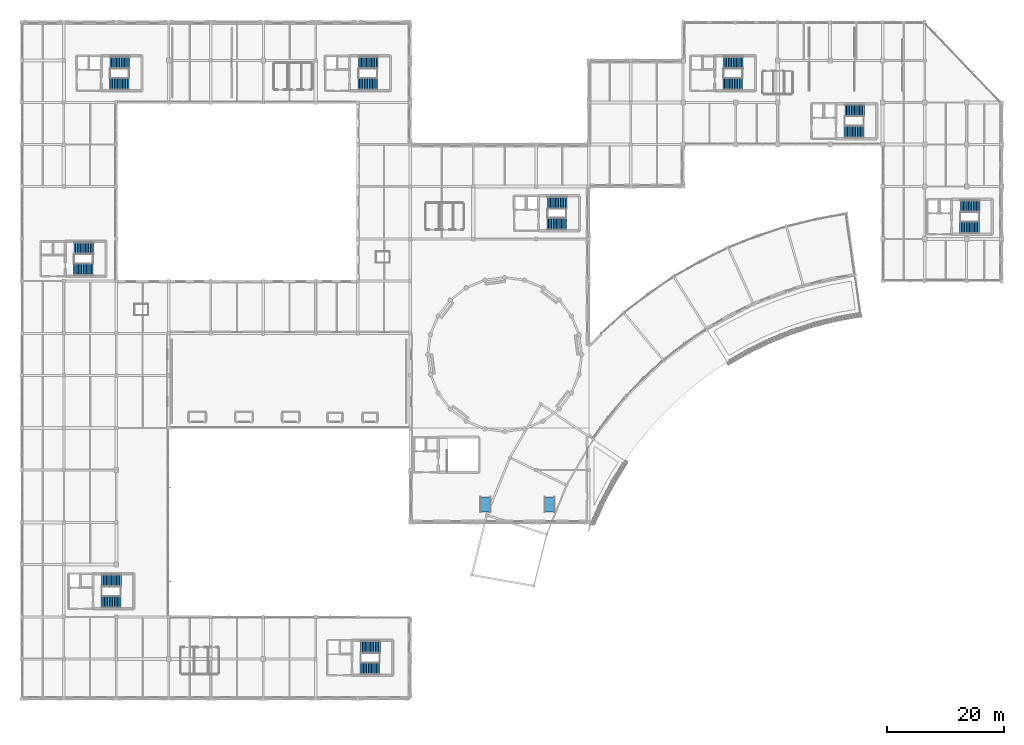
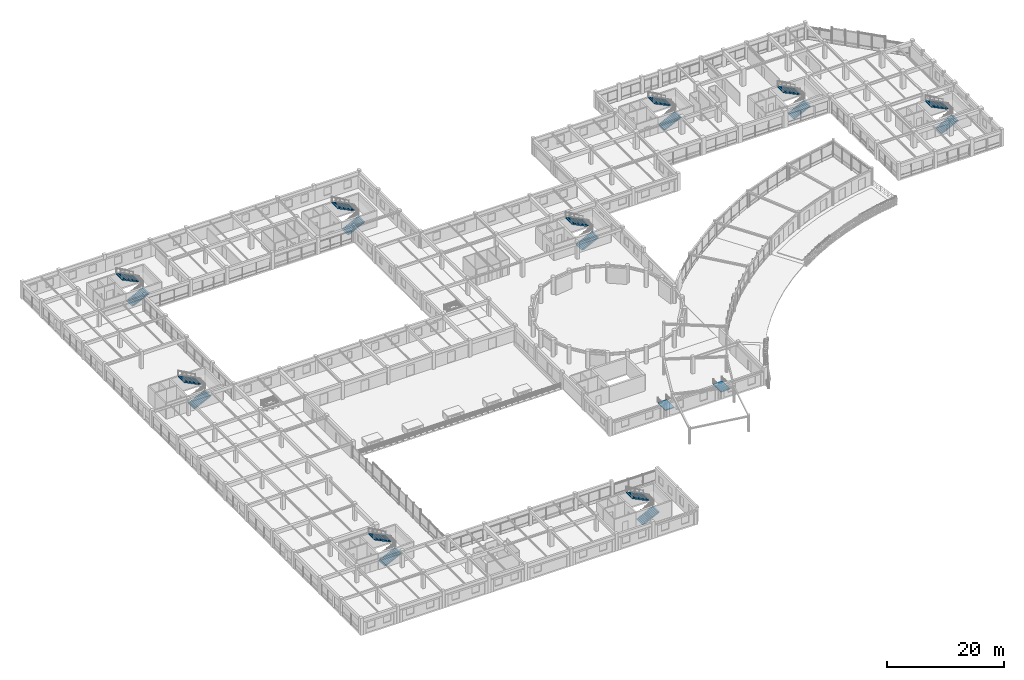
# One storey, part 59 of 74: 18 stair flights, 2 ramp flights, 11 elements without a shape of their own.
"""IFC4 building model written with IfcOpenShell, lengths in metres."""

from ifc_helpers import new_model, si_unit, direction, frame, origin, place, context, subcontext, project, spatial, polyline, outline, extrude, material, layer, layer_set, type_object, element, aggregate, save


model = new_model("IFC4")

# Units and contexts
model_context = context("Model", 3, precision=1e-05, world=origin(), true_north=direction((0.0, 1.0)))
body_context = subcontext(model_context, "Body", "Model", "MODEL_VIEW")
ifc_project = project(units=[si_unit("LENGTHUNIT", "METRE"), si_unit("AREAUNIT", "SQUARE_METRE"), si_unit("VOLUMEUNIT", "CUBIC_METRE"), si_unit("PLANEANGLEUNIT", "RADIAN"), si_unit("MASSUNIT", "GRAM", prefix="KILO")], contexts=[model_context])

# Site, building, storey
site_placement = place(None, origin())
site = spatial("IfcSite", under=ifc_project, at=site_placement, CompositionType="ELEMENT")
building_placement = place(site_placement, origin())
building = spatial("IfcBuilding", under=site, at=building_placement, Name="Clarverna Civic Hall", CompositionType="ELEMENT")
storey_placement = place(building_placement, frame((0.0, 0.0, 9.60009765625)))
storey = spatial("IfcBuildingStorey", under=building, at=storey_placement, Name="L02", CompositionType="ELEMENT", Elevation=9.60009765625)

# Stair, stair flights
ifc_material = material(Name="Concrete C30/37", Category="concrete")
stair_type_1 = type_object("IfcStairType", Name="ST-H1", PredefinedType="HALF_TURN_STAIR", material=ifc_material)
stair_1_placement = place(storey_placement, origin())
stair_1 = element("IfcStair", 1, at=stair_1_placement, inside=storey, type_object=stair_type_1, Name="ST-H1:L02:0002", PredefinedType="HALF_TURN_STAIR")
stair_flight_type_1 = type_object("IfcStairFlightType", Name="SF-02", PredefinedType="STRAIGHT", material=ifc_material)
stair_flight_1_placement = place(storey_placement, frame((141.010009765625, 97.179931640625, 0.0), z_axis=(0.0, 0.0, 1.0), x_axis=(1.0, 0.0, 0.0)))
stair_flight_1 = element("IfcStairFlight", 2, at=stair_flight_1_placement, type_object=stair_flight_type_1, Name="SF-02:L02:0003", NumberOfRisers=13, NumberOfTreads=12, PredefinedType="STRAIGHT", RiserHeight=0.138462, TreadLength=0.28, context=body_context, shape_type="SweptSolid", body=[
    extrude(outline(polyline([(0.0, 0.0), (0.0, 0.138427734375), (0.280029296875, 0.138427734375), (0.280029296875, 0.27685546875), (0.56005859375, 0.27685546875), (0.56005859375, 0.415283203125), (0.840087890625, 0.415283203125), (0.840087890625, 0.553955078125), (1.1201171875, 0.553955078125), (1.1201171875, 0.6923828125), (1.39990234375, 0.6923828125), (1.39990234375, 0.830810546875), (1.679931640625, 0.830810546875), (1.679931640625, 0.96923828125), (1.9599609375, 0.96923828125), (1.9599609375, 1.107666015625), (2.239990234375, 1.107666015625), (2.239990234375, 1.24609375), (2.52001953125, 1.24609375), (2.52001953125, 1.384521484375), (2.800048828125, 1.384521484375), (2.800048828125, 1.523193359375), (3.080078125, 1.523193359375), (3.080078125, 1.66162109375), (3.360107421875, 1.66162109375), (3.360107421875, 1.800048828125), (3.360107421875, 1.460693359375), (0.406005859375, 0.0), (0.0, 0.0)])), frame((0.0, 1.02001953125, 0.0), z_axis=(0.0, -1.0, 0.0), x_axis=(1.0, 0.0, 0.0)), (0.0, 0.0, 1.0), 2.0400390625),
])
stair_flight_2_placement = place(storey_placement, frame((144.4599609375, 100.820068359375, 1.7998046875), z_axis=(0.0, 0.0, 1.0), x_axis=(-1.0, 0.0, 0.0)))
stair_flight_2 = element("IfcStairFlight", 3, at=stair_flight_2_placement, type_object=stair_flight_type_1, Name="SF-02:L02:0004", NumberOfRisers=13, NumberOfTreads=12, PredefinedType="STRAIGHT", RiserHeight=0.138462, TreadLength=0.28, context=body_context, shape_type="SweptSolid", body=[
    extrude(outline(polyline([(0.0, 0.0), (0.0, 0.138427734375), (0.280029296875, 0.138427734375), (0.280029296875, 0.27685546875), (0.56005859375, 0.27685546875), (0.56005859375, 0.415283203125), (0.840087890625, 0.415283203125), (0.840087890625, 0.553955078125), (1.1201171875, 0.553955078125), (1.1201171875, 0.6923828125), (1.39990234375, 0.6923828125), (1.39990234375, 0.830810546875), (1.679931640625, 0.830810546875), (1.679931640625, 0.96923828125), (1.9599609375, 0.96923828125), (1.9599609375, 1.107666015625), (2.239990234375, 1.107666015625), (2.239990234375, 1.24609375), (2.52001953125, 1.24609375), (2.52001953125, 1.384521484375), (2.800048828125, 1.384521484375), (2.800048828125, 1.523193359375), (3.080078125, 1.523193359375), (3.080078125, 1.66162109375), (3.360107421875, 1.66162109375), (3.360107421875, 1.800048828125), (3.360107421875, 1.460693359375), (0.406005859375, 0.0), (0.0, 0.0)])), frame((0.0, 1.02001953125, 0.0), z_axis=(0.0, -1.0, 0.0), x_axis=(1.0, 0.0, 0.0)), (0.0, 0.0, 1.0), 2.0400390625),
])
aggregate(stair_1, [stair_flight_1, stair_flight_2])

stair_2_placement = place(storey_placement, origin())
stair_2 = element("IfcStair", 4, at=stair_2_placement, inside=storey, type_object=stair_type_1, Name="ST-H1:L02:0008", PredefinedType="HALF_TURN_STAIR")
stair_flight_3_placement = place(storey_placement, frame((160.81005859375, 80.780029296875, 0.0), z_axis=(0.0, 0.0, 1.0), x_axis=(1.0, 0.0, 0.0)))
stair_flight_3 = element("IfcStairFlight", 5, at=stair_flight_3_placement, type_object=stair_flight_type_1, Name="SF-02:L02:0015", NumberOfRisers=13, NumberOfTreads=12, PredefinedType="STRAIGHT", RiserHeight=0.138462, TreadLength=0.28, context=body_context, shape_type="SweptSolid", body=[
    extrude(outline(polyline([(0.0, 0.0), (0.0, 0.138427734375), (0.280029296875, 0.138427734375), (0.280029296875, 0.27685546875), (0.56005859375, 0.27685546875), (0.56005859375, 0.415283203125), (0.840087890625, 0.415283203125), (0.840087890625, 0.553955078125), (1.1201171875, 0.553955078125), (1.1201171875, 0.6923828125), (1.39990234375, 0.6923828125), (1.39990234375, 0.830810546875), (1.679931640625, 0.830810546875), (1.679931640625, 0.96923828125), (1.9599609375, 0.96923828125), (1.9599609375, 1.107666015625), (2.239990234375, 1.107666015625), (2.239990234375, 1.24609375), (2.52001953125, 1.24609375), (2.52001953125, 1.384521484375), (2.800048828125, 1.384521484375), (2.800048828125, 1.523193359375), (3.080078125, 1.523193359375), (3.080078125, 1.66162109375), (3.360107421875, 1.66162109375), (3.360107421875, 1.800048828125), (3.360107421875, 1.460693359375), (0.406005859375, 0.0), (0.0, 0.0)])), frame((0.0, 1.02001953125, 0.0), z_axis=(0.0, -1.0, 0.0), x_axis=(1.0, 0.0, 0.0)), (0.0, 0.0, 1.0), 2.0400390625),
])
stair_flight_4_placement = place(storey_placement, frame((164.260009765625, 84.419921875, 1.7998046875), z_axis=(0.0, 0.0, 1.0), x_axis=(-1.0, 0.0, 0.0)))
stair_flight_4 = element("IfcStairFlight", 6, at=stair_flight_4_placement, type_object=stair_flight_type_1, Name="SF-02:L02:0016", NumberOfRisers=13, NumberOfTreads=12, PredefinedType="STRAIGHT", RiserHeight=0.138462, TreadLength=0.28, context=body_context, shape_type="SweptSolid", body=[
    extrude(outline(polyline([(0.0, 0.0), (0.0, 0.138427734375), (0.280029296875, 0.138427734375), (0.280029296875, 0.27685546875), (0.56005859375, 0.27685546875), (0.56005859375, 0.415283203125), (0.840087890625, 0.415283203125), (0.840087890625, 0.553955078125), (1.1201171875, 0.553955078125), (1.1201171875, 0.6923828125), (1.39990234375, 0.6923828125), (1.39990234375, 0.830810546875), (1.679931640625, 0.830810546875), (1.679931640625, 0.96923828125), (1.9599609375, 0.96923828125), (1.9599609375, 1.107666015625), (2.239990234375, 1.107666015625), (2.239990234375, 1.24609375), (2.52001953125, 1.24609375), (2.52001953125, 1.384521484375), (2.800048828125, 1.384521484375), (2.800048828125, 1.523193359375), (3.080078125, 1.523193359375), (3.080078125, 1.66162109375), (3.360107421875, 1.66162109375), (3.360107421875, 1.800048828125), (3.360107421875, 1.460693359375), (0.406005859375, 0.0), (0.0, 0.0)])), frame((0.0, 1.02001953125, 0.0), z_axis=(0.0, -1.0, 0.0), x_axis=(1.0, 0.0, 0.0)), (0.0, 0.0, 1.0), 2.0400390625),
])
aggregate(stair_2, [stair_flight_3, stair_flight_4])

stair_3_placement = place(storey_placement, origin())
stair_3 = element("IfcStair", 7, at=stair_3_placement, inside=storey, type_object=stair_type_1, Name="ST-H1:L02:0015", PredefinedType="HALF_TURN_STAIR")
stair_flight_5_placement = place(storey_placement, frame((15.010009765625, 105.3798828125, 0.0), z_axis=(0.0, 0.0, 1.0), x_axis=(1.0, 0.0, 0.0)))
stair_flight_5 = element("IfcStairFlight", 8, at=stair_flight_5_placement, type_object=stair_flight_type_1, Name="SF-02:L02:0027", NumberOfRisers=13, NumberOfTreads=12, PredefinedType="STRAIGHT", RiserHeight=0.138462, TreadLength=0.28, context=body_context, shape_type="SweptSolid", body=[
    extrude(outline(polyline([(0.0, 0.0), (0.0, 0.138427734375), (0.280029296875, 0.138427734375), (0.280029296875, 0.27685546875), (0.56005859375, 0.27685546875), (0.56005859375, 0.415283203125), (0.840087890625, 0.415283203125), (0.840087890625, 0.553955078125), (1.1201171875, 0.553955078125), (1.1201171875, 0.6923828125), (1.39990234375, 0.6923828125), (1.39990234375, 0.830810546875), (1.679931640625, 0.830810546875), (1.679931640625, 0.96923828125), (1.9599609375, 0.96923828125), (1.9599609375, 1.107666015625), (2.239990234375, 1.107666015625), (2.239990234375, 1.24609375), (2.52001953125, 1.24609375), (2.52001953125, 1.384521484375), (2.800048828125, 1.384521484375), (2.800048828125, 1.523193359375), (3.080078125, 1.523193359375), (3.080078125, 1.66162109375), (3.360107421875, 1.66162109375), (3.360107421875, 1.800048828125), (3.360107421875, 1.460693359375), (0.406005859375, 0.0), (0.0, 0.0)])), frame((0.0, 1.02001953125, 0.0), z_axis=(0.0, -1.0, 0.0), x_axis=(1.0, 0.0, 0.0)), (0.0, 0.0, 1.0), 2.0400390625),
])
stair_flight_6_placement = place(storey_placement, frame((18.4599609375, 109.02001953125, 1.7998046875), z_axis=(0.0, 0.0, 1.0), x_axis=(-1.0, 0.0, 0.0)))
stair_flight_6 = element("IfcStairFlight", 9, at=stair_flight_6_placement, type_object=stair_flight_type_1, Name="SF-02:L02:0028", NumberOfRisers=13, NumberOfTreads=12, PredefinedType="STRAIGHT", RiserHeight=0.138462, TreadLength=0.28, context=body_context, shape_type="SweptSolid", body=[
    extrude(outline(polyline([(0.0, 0.0), (0.0, 0.138427734375), (0.280029296875, 0.138427734375), (0.280029296875, 0.27685546875), (0.56005859375, 0.27685546875), (0.56005859375, 0.415283203125), (0.840087890625, 0.415283203125), (0.840087890625, 0.553955078125), (1.1201171875, 0.553955078125), (1.1201171875, 0.6923828125), (1.39990234375, 0.6923828125), (1.39990234375, 0.830810546875), (1.679931640625, 0.830810546875), (1.679931640625, 0.96923828125), (1.9599609375, 0.96923828125), (1.9599609375, 1.107666015625), (2.239990234375, 1.107666015625), (2.239990234375, 1.24609375), (2.52001953125, 1.24609375), (2.52001953125, 1.384521484375), (2.800048828125, 1.384521484375), (2.800048828125, 1.523193359375), (3.080078125, 1.523193359375), (3.080078125, 1.66162109375), (3.360107421875, 1.66162109375), (3.360107421875, 1.800048828125), (3.360107421875, 1.460693359375), (0.406005859375, 0.0), (0.0, 0.0)])), frame((0.0, 1.02001953125, 0.0), z_axis=(0.0, -1.0, 0.0), x_axis=(1.0, 0.0, 0.0)), (0.0, 0.0, 1.0), 2.0400390625),
])
aggregate(stair_3, [stair_flight_5, stair_flight_6])

stair_type_2 = type_object("IfcStairType", Name="ST-H2", PredefinedType="HALF_TURN_STAIR", material=ifc_material)
stair_4_placement = place(storey_placement, origin())
stair_4 = element("IfcStair", 10, at=stair_4_placement, inside=storey, type_object=stair_type_2, Name="ST-H2:L02:0005", PredefinedType="HALF_TURN_STAIR")
stair_flight_7_placement = place(storey_placement, frame((58.010009765625, 5.179931640625, 0.0), z_axis=(0.0, 0.0, 1.0), x_axis=(1.0, 0.0, 0.0)))
stair_flight_7 = element("IfcStairFlight", 11, at=stair_flight_7_placement, type_object=stair_flight_type_1, Name="SF-02:L02:0033", NumberOfRisers=13, NumberOfTreads=12, PredefinedType="STRAIGHT", RiserHeight=0.138462, TreadLength=0.28, context=body_context, shape_type="SweptSolid", body=[
    extrude(outline(polyline([(0.0, 0.0), (0.0, 0.138427734375), (0.280029296875, 0.138427734375), (0.280029296875, 0.27685546875), (0.56005859375, 0.27685546875), (0.56005859375, 0.415283203125), (0.840087890625, 0.415283203125), (0.840087890625, 0.553955078125), (1.1201171875, 0.553955078125), (1.1201171875, 0.6923828125), (1.39990234375, 0.6923828125), (1.39990234375, 0.830810546875), (1.679931640625, 0.830810546875), (1.679931640625, 0.96923828125), (1.9599609375, 0.96923828125), (1.9599609375, 1.107666015625), (2.239990234375, 1.107666015625), (2.239990234375, 1.24609375), (2.52001953125, 1.24609375), (2.52001953125, 1.384521484375), (2.800048828125, 1.384521484375), (2.800048828125, 1.523193359375), (3.080078125, 1.523193359375), (3.080078125, 1.66162109375), (3.360107421875, 1.66162109375), (3.360107421875, 1.800048828125), (3.360107421875, 1.460693359375), (0.406005859375, 0.0), (0.0, 0.0)])), frame((0.0, 1.02001953125, 0.0), z_axis=(0.0, -1.0, 0.0), x_axis=(1.0, 0.0, 0.0)), (0.0, 0.0, 1.0), 2.0400390625),
])
stair_flight_8_placement = place(storey_placement, frame((61.4599609375, 8.820068359375, 1.7998046875), z_axis=(0.0, 0.0, 1.0), x_axis=(-1.0, 0.0, 0.0)))
stair_flight_8 = element("IfcStairFlight", 12, at=stair_flight_8_placement, type_object=stair_flight_type_1, Name="SF-02:L02:0034", NumberOfRisers=13, NumberOfTreads=12, PredefinedType="STRAIGHT", RiserHeight=0.138462, TreadLength=0.28, context=body_context, shape_type="SweptSolid", body=[
    extrude(outline(polyline([(0.0, 0.0), (0.0, 0.138427734375), (0.280029296875, 0.138427734375), (0.280029296875, 0.27685546875), (0.56005859375, 0.27685546875), (0.56005859375, 0.415283203125), (0.840087890625, 0.415283203125), (0.840087890625, 0.553955078125), (1.1201171875, 0.553955078125), (1.1201171875, 0.6923828125), (1.39990234375, 0.6923828125), (1.39990234375, 0.830810546875), (1.679931640625, 0.830810546875), (1.679931640625, 0.96923828125), (1.9599609375, 0.96923828125), (1.9599609375, 1.107666015625), (2.239990234375, 1.107666015625), (2.239990234375, 1.24609375), (2.52001953125, 1.24609375), (2.52001953125, 1.384521484375), (2.800048828125, 1.384521484375), (2.800048828125, 1.523193359375), (3.080078125, 1.523193359375), (3.080078125, 1.66162109375), (3.360107421875, 1.66162109375), (3.360107421875, 1.800048828125), (3.360107421875, 1.460693359375), (0.406005859375, 0.0), (0.0, 0.0)])), frame((0.0, 1.02001953125, 0.0), z_axis=(0.0, -1.0, 0.0), x_axis=(1.0, 0.0, 0.0)), (0.0, 0.0, 1.0), 2.0400390625),
])
aggregate(stair_4, [stair_flight_7, stair_flight_8])

stair_5_placement = place(storey_placement, origin())
stair_5 = element("IfcStair", 13, at=stair_5_placement, inside=storey, type_object=stair_type_1, Name="ST-H1:L02:0018", PredefinedType="HALF_TURN_STAIR")
stair_flight_9_placement = place(storey_placement, frame((13.610107421875, 16.580078125, 0.0), z_axis=(0.0, 0.0, 1.0), x_axis=(1.0, 0.0, 0.0)))
stair_flight_9 = element("IfcStairFlight", 14, at=stair_flight_9_placement, type_object=stair_flight_type_1, Name="SF-02:L02:0037", NumberOfRisers=13, NumberOfTreads=12, PredefinedType="STRAIGHT", RiserHeight=0.138462, TreadLength=0.28, context=body_context, shape_type="SweptSolid", body=[
    extrude(outline(polyline([(0.0, 0.0), (0.0, 0.138427734375), (0.280029296875, 0.138427734375), (0.280029296875, 0.27685546875), (0.56005859375, 0.27685546875), (0.56005859375, 0.415283203125), (0.840087890625, 0.415283203125), (0.840087890625, 0.553955078125), (1.1201171875, 0.553955078125), (1.1201171875, 0.6923828125), (1.39990234375, 0.6923828125), (1.39990234375, 0.830810546875), (1.679931640625, 0.830810546875), (1.679931640625, 0.96923828125), (1.9599609375, 0.96923828125), (1.9599609375, 1.107666015625), (2.239990234375, 1.107666015625), (2.239990234375, 1.24609375), (2.52001953125, 1.24609375), (2.52001953125, 1.384521484375), (2.800048828125, 1.384521484375), (2.800048828125, 1.523193359375), (3.080078125, 1.523193359375), (3.080078125, 1.66162109375), (3.360107421875, 1.66162109375), (3.360107421875, 1.800048828125), (3.360107421875, 1.460693359375), (0.406005859375, 0.0), (0.0, 0.0)])), frame((0.0, 1.02001953125, 0.0), z_axis=(0.0, -1.0, 0.0), x_axis=(1.0, 0.0, 0.0)), (0.0, 0.0, 1.0), 2.0400390625),
])
stair_flight_10_placement = place(storey_placement, frame((17.06005859375, 20.219970703125, 1.7998046875), z_axis=(0.0, 0.0, 1.0), x_axis=(-1.0, 0.0, 0.0)))
stair_flight_10 = element("IfcStairFlight", 15, at=stair_flight_10_placement, type_object=stair_flight_type_1, Name="SF-02:L02:0038", NumberOfRisers=13, NumberOfTreads=12, PredefinedType="STRAIGHT", RiserHeight=0.138462, TreadLength=0.28, context=body_context, shape_type="SweptSolid", body=[
    extrude(outline(polyline([(0.0, 0.0), (0.0, 0.138427734375), (0.280029296875, 0.138427734375), (0.280029296875, 0.27685546875), (0.56005859375, 0.27685546875), (0.56005859375, 0.415283203125), (0.840087890625, 0.415283203125), (0.840087890625, 0.553955078125), (1.1201171875, 0.553955078125), (1.1201171875, 0.6923828125), (1.39990234375, 0.6923828125), (1.39990234375, 0.830810546875), (1.679931640625, 0.830810546875), (1.679931640625, 0.96923828125), (1.9599609375, 0.96923828125), (1.9599609375, 1.107666015625), (2.239990234375, 1.107666015625), (2.239990234375, 1.24609375), (2.52001953125, 1.24609375), (2.52001953125, 1.384521484375), (2.800048828125, 1.384521484375), (2.800048828125, 1.523193359375), (3.080078125, 1.523193359375), (3.080078125, 1.66162109375), (3.360107421875, 1.66162109375), (3.360107421875, 1.800048828125), (3.360107421875, 1.460693359375), (0.406005859375, 0.0), (0.0, 0.0)])), frame((0.0, 1.02001953125, 0.0), z_axis=(0.0, -1.0, 0.0), x_axis=(1.0, 0.0, 0.0)), (0.0, 0.0, 1.0), 2.0400390625),
])
aggregate(stair_5, [stair_flight_9, stair_flight_10])

stair_6_placement = place(storey_placement, origin())
stair_6 = element("IfcStair", 16, at=stair_6_placement, inside=storey, type_object=stair_type_1, Name="ST-H1:L02:0020", PredefinedType="HALF_TURN_STAIR")
stair_flight_11_placement = place(storey_placement, frame((120.2099609375, 105.3798828125, 0.0), z_axis=(0.0, 0.0, 1.0), x_axis=(1.0, 0.0, 0.0)))
stair_flight_11 = element("IfcStairFlight", 17, at=stair_flight_11_placement, type_object=stair_flight_type_1, Name="SF-02:L02:0041", NumberOfRisers=13, NumberOfTreads=12, PredefinedType="STRAIGHT", RiserHeight=0.138462, TreadLength=0.28, context=body_context, shape_type="SweptSolid", body=[
    extrude(outline(polyline([(0.0, 0.0), (0.0, 0.138427734375), (0.280029296875, 0.138427734375), (0.280029296875, 0.27685546875), (0.56005859375, 0.27685546875), (0.56005859375, 0.415283203125), (0.840087890625, 0.415283203125), (0.840087890625, 0.553955078125), (1.1201171875, 0.553955078125), (1.1201171875, 0.6923828125), (1.39990234375, 0.6923828125), (1.39990234375, 0.830810546875), (1.679931640625, 0.830810546875), (1.679931640625, 0.96923828125), (1.9599609375, 0.96923828125), (1.9599609375, 1.107666015625), (2.239990234375, 1.107666015625), (2.239990234375, 1.24609375), (2.52001953125, 1.24609375), (2.52001953125, 1.384521484375), (2.800048828125, 1.384521484375), (2.800048828125, 1.523193359375), (3.080078125, 1.523193359375), (3.080078125, 1.66162109375), (3.360107421875, 1.66162109375), (3.360107421875, 1.800048828125), (3.360107421875, 1.460693359375), (0.406005859375, 0.0), (0.0, 0.0)])), frame((0.0, 1.02001953125, 0.0), z_axis=(0.0, -1.0, 0.0), x_axis=(1.0, 0.0, 0.0)), (0.0, 0.0, 1.0), 2.0400390625),
])
stair_flight_12_placement = place(storey_placement, frame((123.659912109375, 109.02001953125, 1.7998046875), z_axis=(0.0, 0.0, 1.0), x_axis=(-1.0, 0.0, 0.0)))
stair_flight_12 = element("IfcStairFlight", 18, at=stair_flight_12_placement, type_object=stair_flight_type_1, Name="SF-02:L02:0042", NumberOfRisers=13, NumberOfTreads=12, PredefinedType="STRAIGHT", RiserHeight=0.138462, TreadLength=0.28, context=body_context, shape_type="SweptSolid", body=[
    extrude(outline(polyline([(0.0, 0.0), (0.0, 0.138427734375), (0.280029296875, 0.138427734375), (0.280029296875, 0.27685546875), (0.56005859375, 0.27685546875), (0.56005859375, 0.415283203125), (0.840087890625, 0.415283203125), (0.840087890625, 0.553955078125), (1.1201171875, 0.553955078125), (1.1201171875, 0.6923828125), (1.39990234375, 0.6923828125), (1.39990234375, 0.830810546875), (1.679931640625, 0.830810546875), (1.679931640625, 0.96923828125), (1.9599609375, 0.96923828125), (1.9599609375, 1.107666015625), (2.239990234375, 1.107666015625), (2.239990234375, 1.24609375), (2.52001953125, 1.24609375), (2.52001953125, 1.384521484375), (2.800048828125, 1.384521484375), (2.800048828125, 1.523193359375), (3.080078125, 1.523193359375), (3.080078125, 1.66162109375), (3.360107421875, 1.66162109375), (3.360107421875, 1.800048828125), (3.360107421875, 1.460693359375), (0.406005859375, 0.0), (0.0, 0.0)])), frame((0.0, 1.02001953125, 0.0), z_axis=(0.0, -1.0, 0.0), x_axis=(1.0, 0.0, 0.0)), (0.0, 0.0, 1.0), 2.0400390625),
])
aggregate(stair_6, [stair_flight_11, stair_flight_12])

stair_7_placement = place(storey_placement, origin())
stair_7 = element("IfcStair", 19, at=stair_7_placement, inside=storey, type_object=stair_type_1, Name="ST-H1:L02:0024", PredefinedType="HALF_TURN_STAIR")
stair_flight_13_placement = place(storey_placement, frame((57.610107421875, 105.3798828125, 0.0), z_axis=(0.0, 0.0, 1.0), x_axis=(1.0, 0.0, 0.0)))
stair_flight_13 = element("IfcStairFlight", 20, at=stair_flight_13_placement, type_object=stair_flight_type_1, Name="SF-02:L02:0049", NumberOfRisers=13, NumberOfTreads=12, PredefinedType="STRAIGHT", RiserHeight=0.138462, TreadLength=0.28, context=body_context, shape_type="SweptSolid", body=[
    extrude(outline(polyline([(0.0, 0.0), (0.0, 0.138427734375), (0.280029296875, 0.138427734375), (0.280029296875, 0.27685546875), (0.56005859375, 0.27685546875), (0.56005859375, 0.415283203125), (0.840087890625, 0.415283203125), (0.840087890625, 0.553955078125), (1.1201171875, 0.553955078125), (1.1201171875, 0.6923828125), (1.39990234375, 0.6923828125), (1.39990234375, 0.830810546875), (1.679931640625, 0.830810546875), (1.679931640625, 0.96923828125), (1.9599609375, 0.96923828125), (1.9599609375, 1.107666015625), (2.239990234375, 1.107666015625), (2.239990234375, 1.24609375), (2.52001953125, 1.24609375), (2.52001953125, 1.384521484375), (2.800048828125, 1.384521484375), (2.800048828125, 1.523193359375), (3.080078125, 1.523193359375), (3.080078125, 1.66162109375), (3.360107421875, 1.66162109375), (3.360107421875, 1.800048828125), (3.360107421875, 1.460693359375), (0.406005859375, 0.0), (0.0, 0.0)])), frame((0.0, 1.02001953125, 0.0), z_axis=(0.0, -1.0, 0.0), x_axis=(1.0, 0.0, 0.0)), (0.0, 0.0, 1.0), 2.0400390625),
])
stair_flight_14_placement = place(storey_placement, frame((61.06005859375, 109.02001953125, 1.7998046875), z_axis=(0.0, 0.0, 1.0), x_axis=(-1.0, 0.0, 0.0)))
stair_flight_14 = element("IfcStairFlight", 21, at=stair_flight_14_placement, type_object=stair_flight_type_1, Name="SF-02:L02:0050", NumberOfRisers=13, NumberOfTreads=12, PredefinedType="STRAIGHT", RiserHeight=0.138462, TreadLength=0.28, context=body_context, shape_type="SweptSolid", body=[
    extrude(outline(polyline([(0.0, 0.0), (0.0, 0.138427734375), (0.280029296875, 0.138427734375), (0.280029296875, 0.27685546875), (0.56005859375, 0.27685546875), (0.56005859375, 0.415283203125), (0.840087890625, 0.415283203125), (0.840087890625, 0.553955078125), (1.1201171875, 0.553955078125), (1.1201171875, 0.6923828125), (1.39990234375, 0.6923828125), (1.39990234375, 0.830810546875), (1.679931640625, 0.830810546875), (1.679931640625, 0.96923828125), (1.9599609375, 0.96923828125), (1.9599609375, 1.107666015625), (2.239990234375, 1.107666015625), (2.239990234375, 1.24609375), (2.52001953125, 1.24609375), (2.52001953125, 1.384521484375), (2.800048828125, 1.384521484375), (2.800048828125, 1.523193359375), (3.080078125, 1.523193359375), (3.080078125, 1.66162109375), (3.360107421875, 1.66162109375), (3.360107421875, 1.800048828125), (3.360107421875, 1.460693359375), (0.406005859375, 0.0), (0.0, 0.0)])), frame((0.0, 1.02001953125, 0.0), z_axis=(0.0, -1.0, 0.0), x_axis=(1.0, 0.0, 0.0)), (0.0, 0.0, 1.0), 2.0400390625),
])
aggregate(stair_7, [stair_flight_13, stair_flight_14])

stair_8_placement = place(storey_placement, origin())
stair_8 = element("IfcStair", 22, at=stair_8_placement, inside=storey, type_object=stair_type_1, Name="ST-H1:L02:0027", PredefinedType="HALF_TURN_STAIR")
stair_flight_15_placement = place(storey_placement, frame((8.860107421875, 73.580078125, 0.0), z_axis=(0.0, 0.0, 1.0), x_axis=(1.0, 0.0, 0.0)))
stair_flight_15 = element("IfcStairFlight", 23, at=stair_flight_15_placement, type_object=stair_flight_type_1, Name="SF-02:L02:0055", NumberOfRisers=13, NumberOfTreads=12, PredefinedType="STRAIGHT", RiserHeight=0.138462, TreadLength=0.28, context=body_context, shape_type="SweptSolid", body=[
    extrude(outline(polyline([(0.0, 0.0), (0.0, 0.138427734375), (0.280029296875, 0.138427734375), (0.280029296875, 0.27685546875), (0.56005859375, 0.27685546875), (0.56005859375, 0.415283203125), (0.840087890625, 0.415283203125), (0.840087890625, 0.553955078125), (1.1201171875, 0.553955078125), (1.1201171875, 0.6923828125), (1.39990234375, 0.6923828125), (1.39990234375, 0.830810546875), (1.679931640625, 0.830810546875), (1.679931640625, 0.96923828125), (1.9599609375, 0.96923828125), (1.9599609375, 1.107666015625), (2.239990234375, 1.107666015625), (2.239990234375, 1.24609375), (2.52001953125, 1.24609375), (2.52001953125, 1.384521484375), (2.800048828125, 1.384521484375), (2.800048828125, 1.523193359375), (3.080078125, 1.523193359375), (3.080078125, 1.66162109375), (3.360107421875, 1.66162109375), (3.360107421875, 1.800048828125), (3.360107421875, 1.460693359375), (0.406005859375, 0.0), (0.0, 0.0)])), frame((0.0, 1.02001953125, 0.0), z_axis=(0.0, -1.0, 0.0), x_axis=(1.0, 0.0, 0.0)), (0.0, 0.0, 1.0), 2.0400390625),
])
stair_flight_16_placement = place(storey_placement, frame((12.31005859375, 77.219970703125, 1.7998046875), z_axis=(0.0, 0.0, 1.0), x_axis=(-1.0, 0.0, 0.0)))
stair_flight_16 = element("IfcStairFlight", 24, at=stair_flight_16_placement, type_object=stair_flight_type_1, Name="SF-02:L02:0056", NumberOfRisers=13, NumberOfTreads=12, PredefinedType="STRAIGHT", RiserHeight=0.138462, TreadLength=0.28, context=body_context, shape_type="SweptSolid", body=[
    extrude(outline(polyline([(0.0, 0.0), (0.0, 0.138427734375), (0.280029296875, 0.138427734375), (0.280029296875, 0.27685546875), (0.56005859375, 0.27685546875), (0.56005859375, 0.415283203125), (0.840087890625, 0.415283203125), (0.840087890625, 0.553955078125), (1.1201171875, 0.553955078125), (1.1201171875, 0.6923828125), (1.39990234375, 0.6923828125), (1.39990234375, 0.830810546875), (1.679931640625, 0.830810546875), (1.679931640625, 0.96923828125), (1.9599609375, 0.96923828125), (1.9599609375, 1.107666015625), (2.239990234375, 1.107666015625), (2.239990234375, 1.24609375), (2.52001953125, 1.24609375), (2.52001953125, 1.384521484375), (2.800048828125, 1.384521484375), (2.800048828125, 1.523193359375), (3.080078125, 1.523193359375), (3.080078125, 1.66162109375), (3.360107421875, 1.66162109375), (3.360107421875, 1.800048828125), (3.360107421875, 1.460693359375), (0.406005859375, 0.0), (0.0, 0.0)])), frame((0.0, 1.02001953125, 0.0), z_axis=(0.0, -1.0, 0.0), x_axis=(1.0, 0.0, 0.0)), (0.0, 0.0, 1.0), 2.0400390625),
])
aggregate(stair_8, [stair_flight_15, stair_flight_16])

stair_9_placement = place(storey_placement, origin())
stair_9 = element("IfcStair", 25, at=stair_9_placement, inside=storey, type_object=stair_type_2, Name="ST-H2:L02:0002", PredefinedType="HALF_TURN_STAIR")
stair_flight_type_2 = type_object("IfcStairFlightType", Name="SF-03", PredefinedType="STRAIGHT", material=ifc_material)
stair_flight_17_placement = place(storey_placement, frame((90.010009765625, 81.39990234375, 0.0), z_axis=(0.0, 0.0, 1.0), x_axis=(1.0, 0.0, 0.0)))
stair_flight_17 = element("IfcStairFlight", 26, at=stair_flight_17_placement, type_object=stair_flight_type_2, Name="SF-03:L02:0003", NumberOfRisers=13, NumberOfTreads=12, PredefinedType="STRAIGHT", RiserHeight=0.138462, TreadLength=0.28, context=body_context, shape_type="SweptSolid", body=[
    extrude(outline(polyline([(0.0, 0.0), (0.0, 0.138427734375), (0.280029296875, 0.138427734375), (0.280029296875, 0.27685546875), (0.56005859375, 0.27685546875), (0.56005859375, 0.415283203125), (0.840087890625, 0.415283203125), (0.840087890625, 0.553955078125), (1.1201171875, 0.553955078125), (1.1201171875, 0.6923828125), (1.39990234375, 0.6923828125), (1.39990234375, 0.830810546875), (1.679931640625, 0.830810546875), (1.679931640625, 0.96923828125), (1.9599609375, 0.96923828125), (1.9599609375, 1.107666015625), (2.239990234375, 1.107666015625), (2.239990234375, 1.24609375), (2.52001953125, 1.24609375), (2.52001953125, 1.384521484375), (2.800048828125, 1.384521484375), (2.800048828125, 1.523193359375), (3.080078125, 1.523193359375), (3.080078125, 1.66162109375), (3.360107421875, 1.66162109375), (3.360107421875, 1.800048828125), (3.360107421875, 1.416259765625), (0.496337890625, 0.0), (0.0, 0.0)])), frame((0.0, 1.0400390625, 0.0), z_axis=(0.0, -1.0, 0.0), x_axis=(1.0, 0.0, 0.0)), (0.0, 0.0, 1.0), 2.080078125),
])
stair_flight_18_placement = place(storey_placement, frame((93.4599609375, 85.0, 1.7998046875), z_axis=(0.0, 0.0, 1.0), x_axis=(-1.0, 0.0, 0.0)))
stair_flight_18 = element("IfcStairFlight", 27, at=stair_flight_18_placement, type_object=stair_flight_type_2, Name="SF-03:L02:0004", NumberOfRisers=13, NumberOfTreads=12, PredefinedType="STRAIGHT", RiserHeight=0.138462, TreadLength=0.28, context=body_context, shape_type="SweptSolid", body=[
    extrude(outline(polyline([(0.0, 0.0), (0.0, 0.138427734375), (0.280029296875, 0.138427734375), (0.280029296875, 0.27685546875), (0.56005859375, 0.27685546875), (0.56005859375, 0.415283203125), (0.840087890625, 0.415283203125), (0.840087890625, 0.553955078125), (1.1201171875, 0.553955078125), (1.1201171875, 0.6923828125), (1.39990234375, 0.6923828125), (1.39990234375, 0.830810546875), (1.679931640625, 0.830810546875), (1.679931640625, 0.96923828125), (1.9599609375, 0.96923828125), (1.9599609375, 1.107666015625), (2.239990234375, 1.107666015625), (2.239990234375, 1.24609375), (2.52001953125, 1.24609375), (2.52001953125, 1.384521484375), (2.800048828125, 1.384521484375), (2.800048828125, 1.523193359375), (3.080078125, 1.523193359375), (3.080078125, 1.66162109375), (3.360107421875, 1.66162109375), (3.360107421875, 1.800048828125), (3.360107421875, 1.416259765625), (0.496337890625, 0.0), (0.0, 0.0)])), frame((0.0, 1.0400390625, 0.0), z_axis=(0.0, -1.0, 0.0), x_axis=(1.0, 0.0, 0.0)), (0.0, 0.0, 1.0), 2.080078125),
])
aggregate(stair_9, [stair_flight_17, stair_flight_18])

# Ramp, ramp flight
ramp_type = type_object("IfcRampType", Name="RMP-P1", PredefinedType="STRAIGHT_RUN_RAMP", material=ifc_material)
ramp_1_placement = place(storey_placement, origin())
ramp_1 = element("IfcRamp", 28, at=ramp_1_placement, inside=storey, type_object=ramp_type, Name="Pedestrian Ramp RMP-05", PredefinedType="STRAIGHT_RUN_RAMP")
ifc_layer = layer(ifc_material, 0.219970703125)
ifc_layer_set = layer_set([ifc_layer], Name="Concrete C30/37")
ramp_flight_type = type_object("IfcRampFlightType", Name="RF-P1", PredefinedType="STRAIGHT", material=ifc_layer_set)
ramp_flight_1_placement = place(storey_placement, frame((78.60009765625, 32.0, 0.0), z_axis=(0.0, -0.007699302302, 0.999970359933), x_axis=(1.0, 0.0, 0.0)))
ramp_flight_1 = element("IfcRampFlight", 29, at=ramp_flight_1_placement, type_object=ramp_flight_type, Name="RF-P1-004", PredefinedType="STRAIGHT", context=body_context, shape_type="SweptSolid", body=[
    extrude(outline(polyline([(0.0, 0.0), (1.7998046875, 0.0), (1.7998046875, 2.6001747256036882), (0.0, 2.6001747256036882), (0.0, 0.0)])), origin(), (0.0, 0.0, -1.0), 0.219970703125),
])
aggregate(ramp_1, [ramp_flight_1])

ramp_2_placement = place(storey_placement, origin())
ramp_2 = element("IfcRamp", 30, at=ramp_2_placement, inside=storey, type_object=ramp_type, Name="Pedestrian Ramp RMP-06", PredefinedType="STRAIGHT_RUN_RAMP")
ramp_flight_2_placement = place(storey_placement, frame((89.60009765625, 32.0, 0.0), z_axis=(0.0, -0.007699302302, 0.999970359933), x_axis=(1.0, 0.0, 0.0)))
ramp_flight_2 = element("IfcRampFlight", 31, at=ramp_flight_2_placement, type_object=ramp_flight_type, Name="RF-P1-005", PredefinedType="STRAIGHT", context=body_context, shape_type="SweptSolid", body=[
    extrude(outline(polyline([(0.0, 0.0), (1.7998046875, 0.0), (1.7998046875, 2.6001747256036882), (0.0, 2.6001747256036882), (0.0, 0.0)])), origin(), (0.0, 0.0, -1.0), 0.219970703125),
])
aggregate(ramp_2, [ramp_flight_2])

save(model, "model.ifc")
